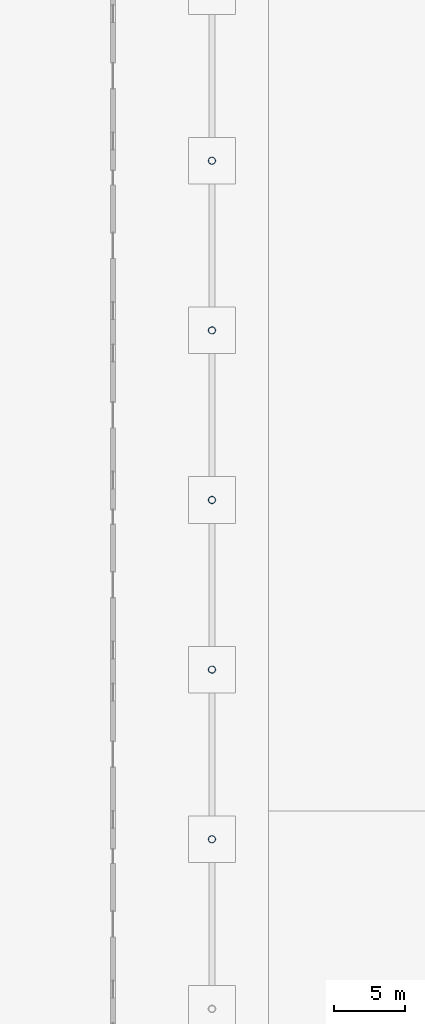
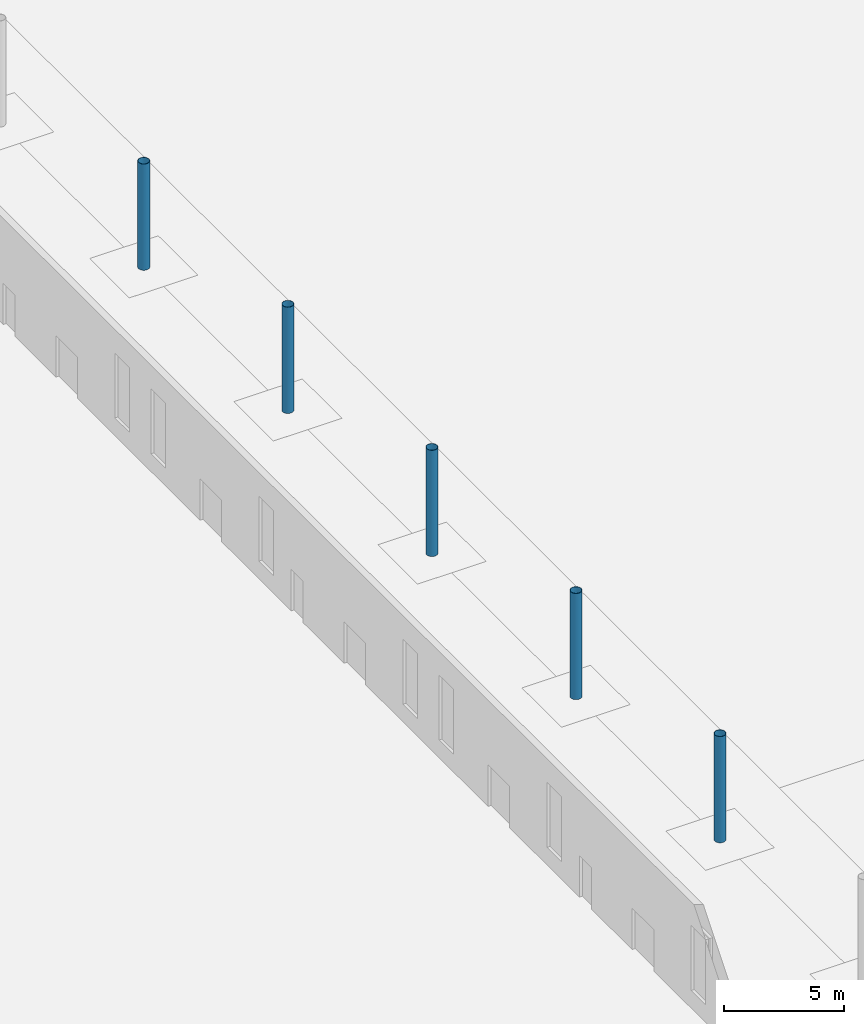
# One storey, part 12 of 132: 5 columns.
"""IFC4 building model written with IfcOpenShell, lengths in metres."""

from ifc_helpers import new_model, si_unit, direction, frame, origin, origin_2d, place, context, subcontext, project, spatial, hollow_circle, extrude, material, material_profile, profile_set, type_object, element, save


model = new_model("IFC4")

# Units and contexts
model_context = context("Model", 3, precision=1e-05, world=origin(), true_north=direction((0.0, 1.0)))
body_context = subcontext(model_context, "Body", "Model", "MODEL_VIEW")
ifc_project = project(units=[si_unit("LENGTHUNIT", "METRE"), si_unit("AREAUNIT", "SQUARE_METRE"), si_unit("VOLUMEUNIT", "CUBIC_METRE"), si_unit("PLANEANGLEUNIT", "RADIAN"), si_unit("MASSUNIT", "GRAM", prefix="KILO")], contexts=[model_context])

# Site, building, storey
site_placement = place(None, origin())
site = spatial("IfcSite", under=ifc_project, at=site_placement, CompositionType="ELEMENT")
building_placement = place(site_placement, origin())
building = spatial("IfcBuilding", under=site, at=building_placement, Name="Ravi Spectrum Wholesale Market", CompositionType="ELEMENT")
storey_placement = place(building_placement, origin())
storey = spatial("IfcBuildingStorey", under=building, at=storey_placement, Name="L00", CompositionType="ELEMENT", Elevation=0.0)

# Columns
ifc_material = material(Name="Steel S355", Category="steel")
ifc_material_profile = material_profile(ifc_material, hollow_circle(Radius=0.25390625, WallThickness=0.01611328125, at=origin_2d()))
ifc_profile_set = profile_set([ifc_material_profile], Name="Steel S355")
column_type = type_object("IfcColumnType", Name="CHS 508x16 column", PredefinedType="COLUMN", material=ifc_profile_set)
for number, where, z_axis, x_axis, name in (
    (1, (110.0, 78.0, 0.0), (0.0, 0.0, 1.0), (1.0, 0.0, 0.0), "H1-COL-L00-020"),
    (2, (110.0, 90.0, 0.0), (0.0, 0.0, 1.0), (1.0, 0.0, 0.0), "H1-COL-L00-021"),
    (3, (110.0, 102.0, 0.0), (0.0, 0.0, 1.0), (1.0, 0.0, 0.0), "H1-COL-L00-022"),
    (4, (110.0, 114.0, 0.0), (0.0, 0.0, 1.0), (1.0, 0.0, 0.0), "H1-COL-L00-023"),
    (5, (110.0, 126.0, 0.0), (0.0, 0.0, 1.0), (1.0, 0.0, 0.0), "H1-COL-L00-024"),
):
    element("IfcColumn", number, at=place(storey_placement, frame(where, z_axis=z_axis, x_axis=x_axis)), inside=storey, type_object=column_type, Name=name, PredefinedType="COLUMN", context=body_context, shape_type="SweptSolid", body=[
        extrude(hollow_circle(Radius=0.25390625, WallThickness=0.01611328125, at=origin_2d()), origin(), (0.0, 0.0, 1.0), 5.39990234375),
    ])

save(model, "model.ifc")
